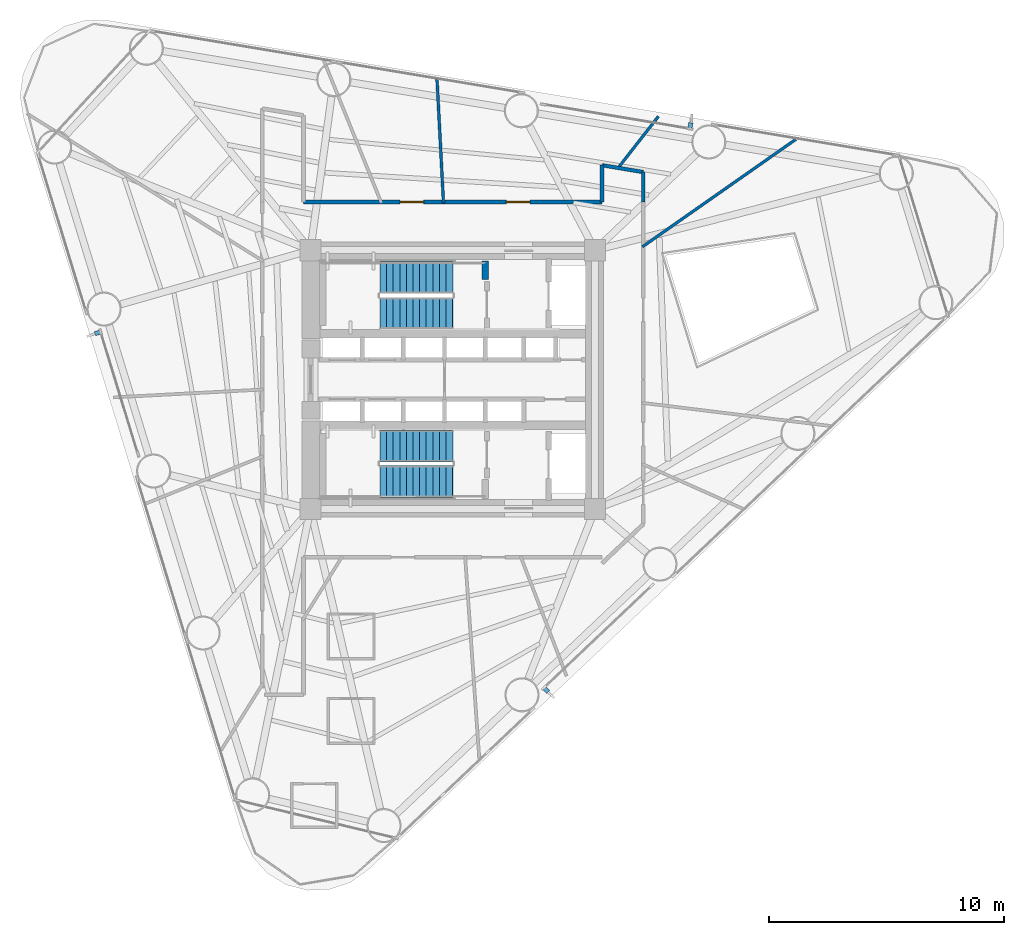
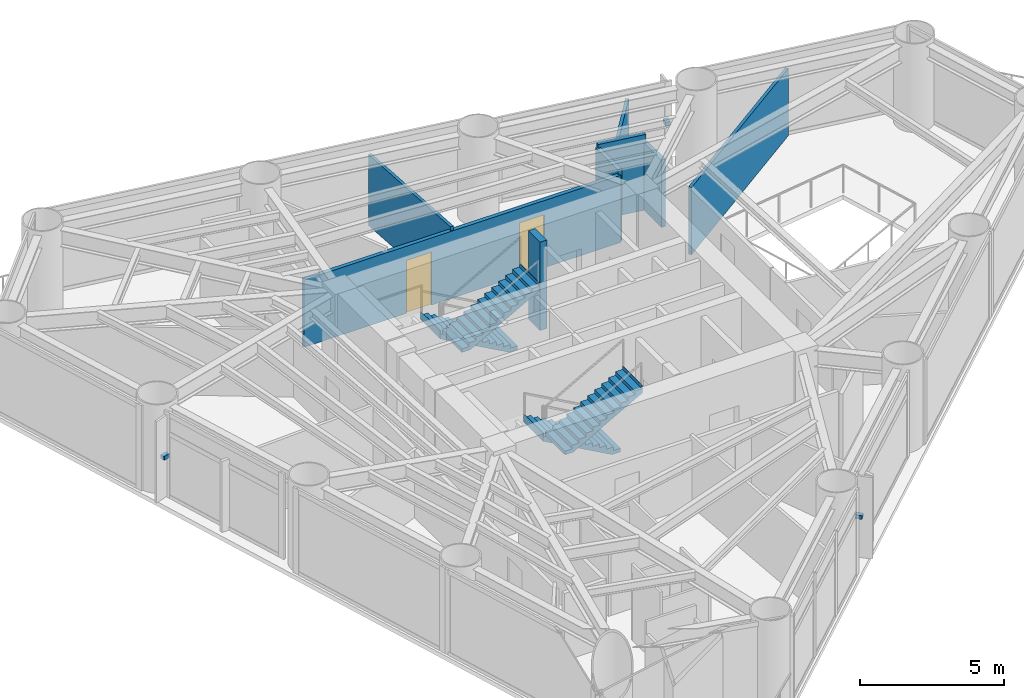
# One storey, part 7 of 10: 8 walls, 4 stair flights, 3 discrete accessories, 2 doors, 2 openings, 2 elements without a shape of their own.
"""IFC4 building model written with IfcOpenShell, lengths in metres."""

from ifc_helpers import new_model, si_unit, direction, frame, frame_2d, origin, origin_2d, place, context, subcontext, project, spatial, polyline, rectangle, outline, extrude, source, transform, mapped, material, layer, layer_set, type_object, element, fill, aggregate, save


model = new_model("IFC4")

# Units and contexts
model_context = context("Model", 3, precision=1e-05, world=origin(), true_north=direction((0.0, 1.0)))
body_context = subcontext(model_context, "Body", "Model", "MODEL_VIEW")
ifc_project = project(units=[si_unit("LENGTHUNIT", "METRE"), si_unit("AREAUNIT", "SQUARE_METRE"), si_unit("VOLUMEUNIT", "CUBIC_METRE"), si_unit("PLANEANGLEUNIT", "RADIAN"), si_unit("MASSUNIT", "GRAM", prefix="KILO")], contexts=[model_context])

# Site, building, storey
site_placement = place(None, origin())
site = spatial("IfcSite", under=ifc_project, at=site_placement, CompositionType="ELEMENT")
building_placement = place(site_placement, origin())
building = spatial("IfcBuilding", under=site, at=building_placement, Name="Yunling Apex Tower", CompositionType="ELEMENT")
storey_placement = place(building_placement, frame((0.0, 0.0, 108.64990234375)))
storey = spatial("IfcBuildingStorey", under=building, at=storey_placement, Name="L27", CompositionType="ELEMENT", Elevation=108.64990234375)

# Wall
ifc_material_1 = material(Name="Concrete C40", Category="concrete")
ifc_layer_1 = layer(ifc_material_1, 0.280029296875)
ifc_layer_set_1 = layer_set([ifc_layer_1], Name="Concrete C40")
wall_type_1 = type_object("IfcWallType", Name="WL-COR-8", PredefinedType="SHEAR", material=ifc_layer_set_1)
wall_1_placement = place(storey_placement, frame((1.3798828125, 4.25, 0.0), z_axis=(0.0, 0.0, 1.0), x_axis=(0.0, 1.0, 0.0)))
element("IfcWall", 1, at=wall_1_placement, inside=storey, type_object=wall_type_1, Name="L27 ST-1 East Landing Bearing Pier", PredefinedType="SHEAR", context=body_context, shape_type="SweptSolid", body=[
    extrude(rectangle(XDim=0.800048828125, YDim=0.280029296875, at=frame_2d((0.39990234375, 0.0))), origin(), (0.0, 0.0, 1.0), 3.75),
])

# Wall, openings, doors
ifc_material_2 = material(Name="Gypsum board acoustic partition")
ifc_layer_2 = layer(ifc_material_2, 0.159912109375)
ifc_layer_set_2 = layer_set([ifc_layer_2], Name="Gypsum board acoustic partition")
wall_type_2 = type_object("IfcWallType", Name="WL-PRT-1", PredefinedType="PARTITIONING", material=ifc_layer_set_2)
wall_2_placement = place(storey_placement, frame((-6.35009765625, 7.550048828125, 0.0), z_axis=(0.0, 0.0, 1.0), x_axis=(1.0, 0.0, 0.0)))
wall_2 = element("IfcWall", 2, at=wall_2_placement, inside=storey, type_object=wall_type_2, Name="WL-CORR-L27-07", PredefinedType="PARTITIONING", context=body_context, shape_type="SweptSolid", body=[
    extrude(rectangle(XDim=12.7001953125, YDim=0.159912109375, at=frame_2d((6.35009765625, 0.0))), origin(), (0.0, 0.0, 1.0), 2.85009765625),
])
opening_1_placement = place(wall_2_placement, frame((4.111083984375, 0.0, 0.0)))
opening_1 = element("IfcOpeningElement", 3, at=opening_1_placement, cuts=wall_2, Name="Opening DR-OFF-1", PredefinedType="OPENING", context=body_context, shape_type="SweptSolid", body=[
    extrude(rectangle(XDim=1.0, YDim=2.25, at=frame_2d((0.5, 1.125))), frame((0.0, 0.08984375, 0.0), z_axis=(0.0, -1.0, 0.0), x_axis=(1.0, 0.0, 0.0)), (0.0, 0.0, 1.0), 0.179931640625),
])
opening_2_placement = place(wall_2_placement, frame((8.63232421875, 0.0, 0.0)))
opening_2 = element("IfcOpeningElement", 4, at=opening_2_placement, cuts=wall_2, Name="Opening DR-OFF-1", PredefinedType="OPENING", context=body_context, shape_type="SweptSolid", body=[
    extrude(rectangle(XDim=1.0, YDim=2.25, at=frame_2d((0.5, 1.125))), frame((0.0, 0.08984375, 0.0), z_axis=(0.0, -1.0, 0.0), x_axis=(1.0, 0.0, 0.0)), (0.0, 0.0, 1.0), 0.179931640625),
])
ifc_material_3 = material(Name="Bronze anodised aluminium", Category="aluminium")
door_type = type_object("IfcDoorType", Name="DR-OFF-1", OperationType="NOTDEFINED", PredefinedType="DOOR", material=ifc_material_3)
door_1_placement = place(opening_1_placement, origin())
door_1 = element("IfcDoor", 5, at=door_1_placement, inside=storey, type_object=door_type, Name="L27 Business Reading Lounge Door", OperationType="SINGLE_SWING_LEFT", OverallHeight=2.25, OverallWidth=1.0, PredefinedType="DOOR", context=body_context, shape_type="SweptSolid", body=[
    extrude(rectangle(XDim=1.0, YDim=2.25, at=frame_2d((0.5, 1.125))), frame((0.0, 0.02490234375, 0.0), z_axis=(0.0, -1.0, 0.0), x_axis=(1.0, 0.0, 0.0)), (0.0, 0.0, 1.0), 0.050048828125),
])
fill(opening_1, door_1)
door_2_placement = place(opening_2_placement, origin())
door_2 = element("IfcDoor", 6, at=door_2_placement, inside=storey, type_object=door_type, Name="L27 Business Reading Lounge Door", OperationType="SINGLE_SWING_RIGHT", OverallHeight=2.25, OverallWidth=1.0, PredefinedType="DOOR", context=body_context, shape_type="SweptSolid", body=[
    extrude(rectangle(XDim=1.0, YDim=2.25, at=frame_2d((0.5, 1.125))), frame((0.0, 0.02490234375, 0.0), z_axis=(0.0, -1.0, 0.0), x_axis=(1.0, 0.0, 0.0)), (0.0, 0.0, 1.0), 0.050048828125),
])
fill(opening_2, door_2)

# Walls
wall_3_placement = place(storey_placement, frame((6.35009765625, 7.550048828125, 0.0), z_axis=(0.0, 0.0, 1.0), x_axis=(0.0, 1.0, 0.0)))
element("IfcWall", 7, at=wall_3_placement, inside=storey, type_object=wall_type_2, Name="WL-CORR-L27-08", PredefinedType="PARTITIONING", context=body_context, shape_type="SweptSolid", body=[
    extrude(rectangle(XDim=1.56298828125, YDim=0.159912109375, at=frame_2d((0.781494140625, 0.0))), origin(), (0.0, 0.0, 1.0), 3.050048828125),
])
wall_4_placement = place(storey_placement, frame((6.35009765625, 9.113037109375, 0.0), z_axis=(0.0, 0.0, 1.0), x_axis=(0.986386484459, -0.164443617317, 0.0)))
element("IfcWall", 8, at=wall_4_placement, inside=storey, type_object=wall_type_2, Name="WL-CORR-L27-09", PredefinedType="PARTITIONING", context=body_context, shape_type="SweptSolid", body=[
    extrude(rectangle(XDim=1.774169921875, YDim=0.159912109375, at=frame_2d((0.88720703125, 0.0))), origin(), (0.0, 0.0, 1.0), 3.2001953125),
])
wall_5_placement = place(storey_placement, frame((8.10009765625, 8.8212890625, 0.0), z_axis=(0.0, 0.0, 1.0), x_axis=(0.0, -1.0, 0.0)))
element("IfcWall", 9, at=wall_5_placement, inside=storey, type_object=wall_type_2, Name="WL-CORR-L27-10", PredefinedType="PARTITIONING", context=body_context, shape_type="SweptSolid", body=[
    extrude(rectangle(XDim=1.271240234375, YDim=0.159912109375, at=frame_2d((0.6357421875, 0.0))), origin(), (0.0, 0.0, 1.0), 2.85009765625),
])
ifc_layer_3 = layer(ifc_material_2, 0.1201171875)
ifc_layer_set_3 = layer_set([ifc_layer_3], Name="Gypsum board acoustic partition")
wall_type_3 = type_object("IfcWallType", Name="WL-PRT-3", PredefinedType="PARTITIONING", material=ifc_layer_set_3)
wall_6_placement = place(storey_placement, frame((8.06005859375, 5.643798828125, 0.0), z_axis=(0.0, 0.0, 1.0), x_axis=(0.819162822725, 0.573561042841, 0.0)))
element("IfcWall", 10, at=wall_6_placement, inside=storey, type_object=wall_type_3, Name="WL-RAD-L27-09", PredefinedType="PARTITIONING", context=body_context, shape_type="SweptSolid", body=[
    extrude(rectangle(XDim=7.96826171875, YDim=0.1201171875, at=frame_2d((3.984130859375, 0.0))), origin(), (0.0, 0.0, 1.0), 2.85009765625),
])
wall_7_placement = place(storey_placement, frame((7.003173828125, 8.963623046875, 0.0), z_axis=(0.0, 0.0, 1.0), x_axis=(0.615657467661, 0.788013884721, 0.0)))
element("IfcWall", 11, at=wall_7_placement, inside=storey, type_object=wall_type_3, Name="WL-RAD-L27-10", PredefinedType="PARTITIONING", context=body_context, shape_type="SweptSolid", body=[
    extrude(rectangle(XDim=2.822998046875, YDim=0.1201171875, at=frame_2d((1.41162109375, 0.0))), origin(), (0.0, 0.0, 1.0), 3.010009765625),
])
wall_8_placement = place(storey_placement, frame((-0.3935546875, 7.510009765625, 0.0), z_axis=(0.0, 0.0, 1.0), x_axis=(-0.052329543677, 0.998629870802, 0.0)))
element("IfcWall", 12, at=wall_8_placement, inside=storey, type_object=wall_type_3, Name="WL-RAD-L27-11", PredefinedType="PARTITIONING", context=body_context, shape_type="SweptSolid", body=[
    extrude(rectangle(XDim=5.253173828125, YDim=0.1201171875, at=frame_2d((2.62646484375, 0.0))), origin(), (0.0, 0.0, 1.0), 3.010009765625),
])

# Stair, stair flights
stair_type = type_object("IfcStairType", Name="ST-TWR-1", PredefinedType="HALF_TURN_STAIR", material=ifc_material_1)
stair_1_placement = place(storey_placement, origin())
stair_1 = element("IfcStair", 13, at=stair_1_placement, inside=storey, type_object=stair_type, Name="L27 North Core Smokeproof Exit Stair ST-1", PredefinedType="HALF_TURN_STAIR")
stair_flight_type = type_object("IfcStairFlightType", Name="SFL-TWR-1", PredefinedType="STRAIGHT", material=ifc_material_1)
stair_flight_1_placement = place(storey_placement, frame((-0.010009765625, 4.330078125, 0.0), z_axis=(0.0, 0.0, 1.0), x_axis=(-1.0, 0.0, 0.0)))
stair_flight_1 = element("IfcStairFlight", 14, at=stair_flight_1_placement, type_object=stair_flight_type, Name="ST-1 flight 1", NumberOfRisers=12, NumberOfTreads=11, PredefinedType="STRAIGHT", RiserHeight=0.15625, TreadLength=0.28, context=body_context, shape_type="SweptSolid", body=[
    extrude(outline(polyline([(-0.011962890625, 0.0), (-0.011962890625, 0.15625), (0.0, 0.15625), (0.280029296875, 0.15625), (0.280029296875, 0.3125), (0.56005859375, 0.3125), (0.56005859375, 0.46875), (0.840087890625, 0.46875), (0.840087890625, 0.625), (1.1201171875, 0.625), (1.1201171875, 0.78125), (1.39990234375, 0.78125), (1.39990234375, 0.9375), (1.679931640625, 0.9375), (1.679931640625, 1.09375), (1.9599609375, 1.09375), (1.9599609375, 1.25), (2.239990234375, 1.25), (2.239990234375, 1.40625), (2.52001953125, 1.40625), (2.52001953125, 1.5625), (2.800048828125, 1.5625), (2.800048828125, 1.71875), (3.080078125, 1.71875), (3.080078125, 1.875), (3.092041015625, 1.875), (3.092041015625, 1.53564453125), (0.328125, 0.0), (-0.011962890625, 0.0)])), frame((0.0, 0.68017578125, 0.0), z_axis=(0.0, -1.0, 0.0), x_axis=(1.0, 0.0, 0.0)), (0.0, 0.0, 1.0), 1.360107421875),
])
stair_flight_2_placement = place(storey_placement, frame((-3.090087890625, 2.820068359375, 1.875), z_axis=(0.0, 0.0, 1.0), x_axis=(1.0, 0.0, 0.0)))
stair_flight_2 = element("IfcStairFlight", 15, at=stair_flight_2_placement, type_object=stair_flight_type, Name="ST-1 flight 2", NumberOfRisers=12, NumberOfTreads=11, PredefinedType="STRAIGHT", RiserHeight=0.15625, TreadLength=0.28, context=body_context, shape_type="SweptSolid", body=[
    extrude(outline(polyline([(-0.011962890625, 0.0), (-0.011962890625, 0.15625), (0.0, 0.15625), (0.280029296875, 0.15625), (0.280029296875, 0.3125), (0.56005859375, 0.3125), (0.56005859375, 0.46875), (0.840087890625, 0.46875), (0.840087890625, 0.625), (1.1201171875, 0.625), (1.1201171875, 0.78125), (1.39990234375, 0.78125), (1.39990234375, 0.9375), (1.679931640625, 0.9375), (1.679931640625, 1.09375), (1.9599609375, 1.09375), (1.9599609375, 1.25), (2.239990234375, 1.25), (2.239990234375, 1.40625), (2.52001953125, 1.40625), (2.52001953125, 1.5625), (2.800048828125, 1.5625), (2.800048828125, 1.71875), (3.080078125, 1.71875), (3.080078125, 1.875), (3.092041015625, 1.875), (3.092041015625, 1.53564453125), (0.328125, 0.0), (-0.011962890625, 0.0)])), frame((0.0, 0.68017578125, 0.0), z_axis=(0.0, -1.0, 0.0), x_axis=(1.0, 0.0, 0.0)), (0.0, 0.0, 1.0), 1.360107421875),
])
aggregate(stair_1, [stair_flight_1, stair_flight_2])

stair_2_placement = place(storey_placement, origin())
stair_2 = element("IfcStair", 16, at=stair_2_placement, inside=storey, type_object=stair_type, Name="L27 South Core Smokeproof Exit Stair ST-2", PredefinedType="HALF_TURN_STAIR")
stair_flight_3_placement = place(storey_placement, frame((-0.010009765625, -2.820068359375, 0.0), z_axis=(0.0, 0.0, 1.0), x_axis=(-1.0, 0.0, 0.0)))
stair_flight_3 = element("IfcStairFlight", 17, at=stair_flight_3_placement, type_object=stair_flight_type, Name="ST-2 flight 1", NumberOfRisers=12, NumberOfTreads=11, PredefinedType="STRAIGHT", RiserHeight=0.15625, TreadLength=0.28, context=body_context, shape_type="SweptSolid", body=[
    extrude(outline(polyline([(-0.011962890625, 0.0), (-0.011962890625, 0.15625), (0.0, 0.15625), (0.280029296875, 0.15625), (0.280029296875, 0.3125), (0.56005859375, 0.3125), (0.56005859375, 0.46875), (0.840087890625, 0.46875), (0.840087890625, 0.625), (1.1201171875, 0.625), (1.1201171875, 0.78125), (1.39990234375, 0.78125), (1.39990234375, 0.9375), (1.679931640625, 0.9375), (1.679931640625, 1.09375), (1.9599609375, 1.09375), (1.9599609375, 1.25), (2.239990234375, 1.25), (2.239990234375, 1.40625), (2.52001953125, 1.40625), (2.52001953125, 1.5625), (2.800048828125, 1.5625), (2.800048828125, 1.71875), (3.080078125, 1.71875), (3.080078125, 1.875), (3.092041015625, 1.875), (3.092041015625, 1.53564453125), (0.328125, 0.0), (-0.011962890625, 0.0)])), frame((0.0, 0.68017578125, 0.0), z_axis=(0.0, -1.0, 0.0), x_axis=(1.0, 0.0, 0.0)), (0.0, 0.0, 1.0), 1.360107421875),
])
stair_flight_4_placement = place(storey_placement, frame((-3.090087890625, -4.330078125, 1.875), z_axis=(0.0, 0.0, 1.0), x_axis=(1.0, 0.0, 0.0)))
stair_flight_4 = element("IfcStairFlight", 18, at=stair_flight_4_placement, type_object=stair_flight_type, Name="ST-2 flight 2", NumberOfRisers=12, NumberOfTreads=11, PredefinedType="STRAIGHT", RiserHeight=0.15625, TreadLength=0.28, context=body_context, shape_type="SweptSolid", body=[
    extrude(outline(polyline([(-0.011962890625, 0.0), (-0.011962890625, 0.15625), (0.0, 0.15625), (0.280029296875, 0.15625), (0.280029296875, 0.3125), (0.56005859375, 0.3125), (0.56005859375, 0.46875), (0.840087890625, 0.46875), (0.840087890625, 0.625), (1.1201171875, 0.625), (1.1201171875, 0.78125), (1.39990234375, 0.78125), (1.39990234375, 0.9375), (1.679931640625, 0.9375), (1.679931640625, 1.09375), (1.9599609375, 1.09375), (1.9599609375, 1.25), (2.239990234375, 1.25), (2.239990234375, 1.40625), (2.52001953125, 1.40625), (2.52001953125, 1.5625), (2.800048828125, 1.5625), (2.800048828125, 1.71875), (3.080078125, 1.71875), (3.080078125, 1.875), (3.092041015625, 1.875), (3.092041015625, 1.53564453125), (0.328125, 0.0), (-0.011962890625, 0.0)])), frame((0.0, 0.68017578125, 0.0), z_axis=(0.0, -1.0, 0.0), x_axis=(1.0, 0.0, 0.0)), (0.0, 0.0, 1.0), 1.360107421875),
])
aggregate(stair_2, [stair_flight_3, stair_flight_4])

# Discrete accessories
ifc_material_4 = material(Name="Steel Q355B", Category="steel")
discrete_accessory_type = type_object("IfcDiscreteAccessoryType", Name="BK-FIN-1", PredefinedType="BRACKET", material=ifc_material_4)
shared_shape = source(origin(), body_context, "Body", "SweptSolid", [
    extrude(rectangle(XDim=0.179931640625, YDim=0.260009765625, at=origin_2d()), origin(), (0.0, 0.0, 1.0), 0.159912109375),
])
for number, where, z_axis, x_axis, name in (
    (19, (3.9658203125, -13.191162109375, 1.70263671875), (0.0, 0.0, 1.0), (0.725854756355, 0.687848001144, 0.0), "CW-L27-F1-B2-BRK-01-1"),
    (20, (10.10009765625, 10.789306640625, 1.70263671875), (0.0, 0.0, 1.0), (-0.986400586142, 0.164359008451, 0.0), "CW-L27-F2-B2-BRK-01-1"),
    (21, (-15.0888671875, 1.988037109375, 1.70263671875), (0.0, 0.0, 1.0), (0.292371704723, -0.956304755963, 0.0), "CW-L27-F3-B2-BRK-01-1"),
):
    element("IfcDiscreteAccessory", number, at=place(storey_placement, frame(where, z_axis=z_axis, x_axis=x_axis)), inside=storey, type_object=discrete_accessory_type, Name=name, PredefinedType="BRACKET", context=body_context, shape_type="MappedRepresentation", body=[
        mapped(shared_shape, transform((0.0, 0.0, 0.0), scale=1.0)),
    ])

save(model, "model.ifc")
